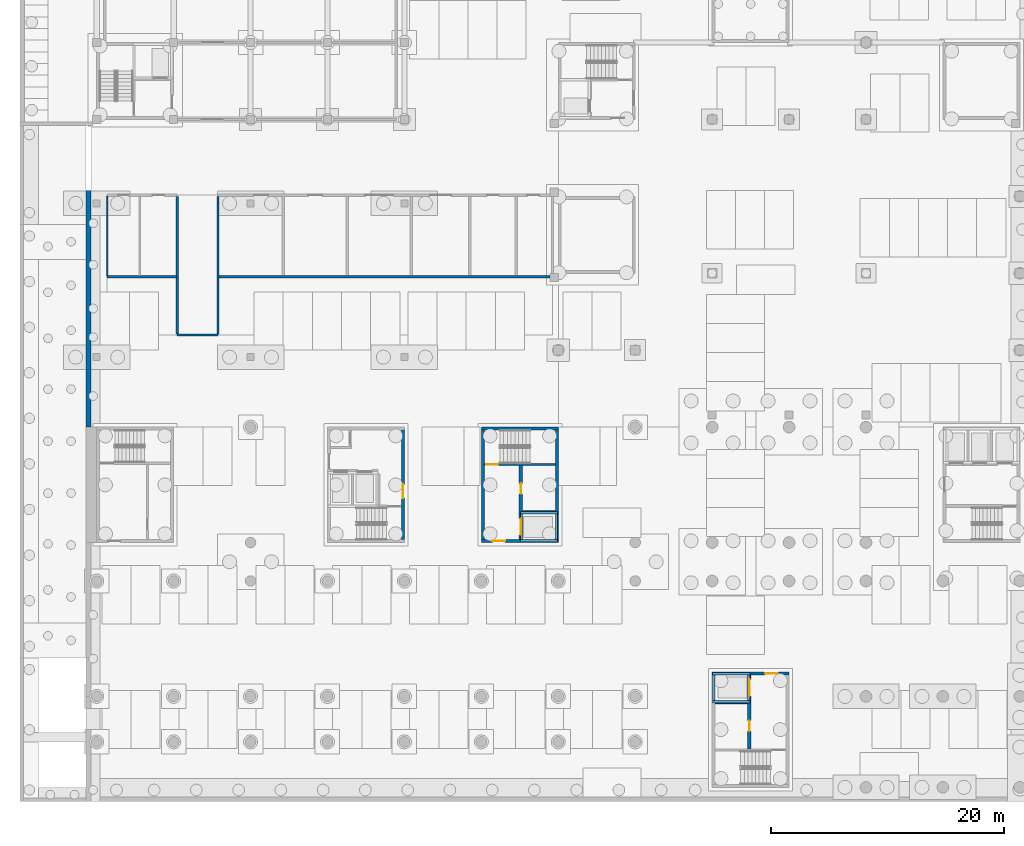
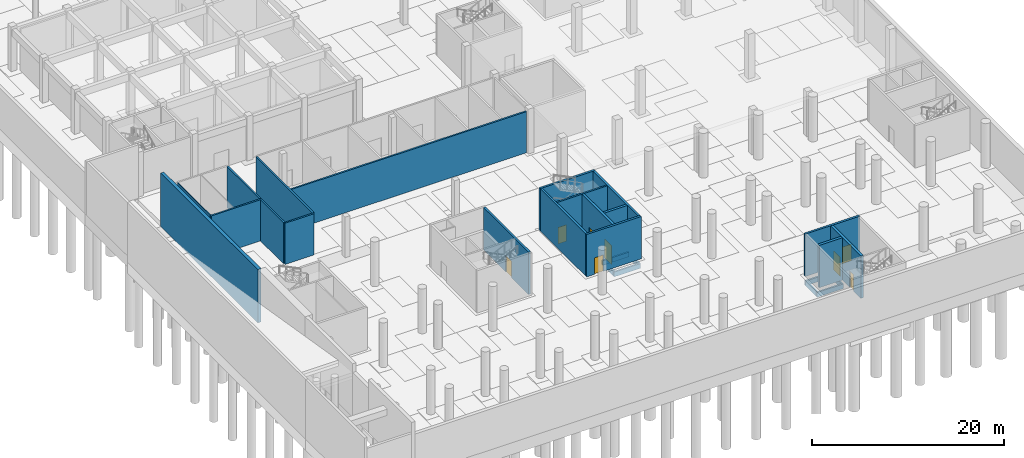
# One storey, part 12 of 38: 26 walls, 8 doors, 8 openings.
"""IFC4 building model written with IfcOpenShell, lengths in metres."""

from ifc_helpers import new_model, si_unit, direction, frame, frame_2d, origin, place, context, subcontext, project, spatial, rectangle, extrude, material, layer, layer_set, type_object, element, fill, save


model = new_model("IFC4")

# Units and contexts
model_context = context("Model", 3, precision=1e-05, world=origin(), true_north=direction((0.0, 1.0)))
body_context = subcontext(model_context, "Body", "Model", "MODEL_VIEW")
ifc_project = project(units=[si_unit("LENGTHUNIT", "METRE"), si_unit("AREAUNIT", "SQUARE_METRE"), si_unit("VOLUMEUNIT", "CUBIC_METRE"), si_unit("PLANEANGLEUNIT", "RADIAN"), si_unit("MASSUNIT", "GRAM", prefix="KILO")], contexts=[model_context])

# Site, building, storey
site_placement = place(None, origin())
site = spatial("IfcSite", under=ifc_project, at=site_placement, CompositionType="ELEMENT")
building_placement = place(site_placement, origin())
building = spatial("IfcBuilding", under=site, at=building_placement, Name="Lantern Court Research Institute", CompositionType="ELEMENT")
storey_placement = place(building_placement, frame((0.0, 0.0, -5.699951171875)))
storey = spatial("IfcBuildingStorey", under=building, at=storey_placement, Name="B1", CompositionType="ELEMENT", Elevation=-5.699951171875)

# Walls
ifc_material_1 = material(Name="Masonry blockwork 7 N/mm2", Category="masonry")
ifc_layer_1 = layer(ifc_material_1, 0.10009765625)
ifc_layer_set_1 = layer_set([ifc_layer_1], Name="Masonry blockwork 7 N/mm2")
wall_type_1 = type_object("IfcWallType", Name="Fire compartment wall 100 EI 60", PredefinedType="PARTITIONING", material=ifc_layer_set_1)
wall_1_placement = place(storey_placement, frame((0.89990234375, 36.10009765625, 0.0), z_axis=(0.0, 0.0, 1.0), x_axis=(0.0, 1.0, 0.0)))
element("IfcWall", 1, at=wall_1_placement, inside=storey, type_object=wall_type_1, Name="PT32", PredefinedType="PARTITIONING", context=body_context, shape_type="SweptSolid", body=[
    extrude(rectangle(XDim=6.7998046875, YDim=0.10009765625, at=frame_2d((3.39990234375, 0.0))), origin(), (0.0, 0.0, 1.0), 5.25),
])
ifc_material_2 = material(Name="Masonry blockwork 7 N/mm2", Category="masonry")
ifc_layer_2 = layer(ifc_material_2, 0.199951171875)
ifc_layer_set_2 = layer_set([ifc_layer_2], Name="Masonry blockwork 7 N/mm2")
wall_type_2 = type_object("IfcWallType", Name="Fire compartment wall 200 EI 120", PredefinedType="PARTITIONING", material=ifc_layer_set_2)
wall_2_placement = place(storey_placement, frame((6.89990234375, 31.0, 0.0), z_axis=(0.0, 0.0, 1.0), x_axis=(1.0, 0.0, 0.0)))
element("IfcWall", 2, at=wall_2_placement, inside=storey, type_object=wall_type_2, Name="PT17", PredefinedType="PARTITIONING", context=body_context, shape_type="SweptSolid", body=[
    extrude(rectangle(XDim=3.5, YDim=0.199951171875, at=frame_2d((1.75, 0.0))), origin(), (0.0, 0.0, 1.0), 5.25),
])
wall_3_placement = place(storey_placement, frame((0.89990234375, 36.0, 0.0), z_axis=(0.0, 0.0, 1.0), x_axis=(1.0, 0.0, 0.0)))
element("IfcWall", 3, at=wall_3_placement, inside=storey, type_object=wall_type_2, Name="PT18", PredefinedType="PARTITIONING", context=body_context, shape_type="SweptSolid", body=[
    extrude(rectangle(XDim=6.0, YDim=0.199951171875, at=frame_2d((3.0, 0.0))), origin(), (0.0, 0.0, 1.0), 5.25),
])
wall_4_placement = place(storey_placement, frame((10.39990234375, 36.0, 0.0), z_axis=(0.0, 0.0, 1.0), x_axis=(1.0, 0.0, 0.0)))
element("IfcWall", 4, at=wall_4_placement, inside=storey, type_object=wall_type_2, Name="PT19", PredefinedType="PARTITIONING", context=body_context, shape_type="SweptSolid", body=[
    extrude(rectangle(XDim=28.5, YDim=0.199951171875, at=frame_2d((14.25, 0.0))), origin(), (0.0, 0.0, 1.0), 5.25),
])
for number, where, z_axis, x_axis, name in (
    (5, (6.89990234375, 31.10009765625, 0.0), (0.0, 0.0, 1.0), (0.0, 1.0, 0.0), "PT34"),
    (6, (10.39990234375, 31.10009765625, 0.0), (0.0, 0.0, 1.0), (0.0, 1.0, 0.0), "PT35"),
):
    element("IfcWall", number, at=place(storey_placement, frame(where, z_axis=z_axis, x_axis=x_axis)), inside=storey, type_object=wall_type_2, Name=name, PredefinedType="PARTITIONING", context=body_context, shape_type="SweptSolid", body=[
        extrude(rectangle(XDim=11.7998046875, YDim=0.199951171875, at=frame_2d((5.89990234375, 0.0))), origin(), (0.0, 0.0, 1.0), 5.25),
    ])

# Wall, opening, door
ifc_material_3 = material(Name="Concrete C40/50", Category="concrete")
ifc_layer_3 = layer(ifc_material_3, 0.25)
ifc_layer_set_3 = layer_set([ifc_layer_3], Name="Concrete C40/50")
wall_type_3 = type_object("IfcWallType", Name="RC core wall 250", PredefinedType="SHEAR", material=ifc_layer_set_3)
wall_5_placement = place(storey_placement, frame((26.27490234375, 13.449951171875, 0.0), z_axis=(0.0, 0.0, 1.0), x_axis=(0.0, 1.0, 0.0)))
wall_5 = element("IfcWall", 7, at=wall_5_placement, inside=storey, type_object=wall_type_3, Name="East wall of core BC-M", PredefinedType="SHEAR", context=body_context, shape_type="SweptSolid", body=[
    extrude(rectangle(XDim=9.400146484375, YDim=0.25, at=frame_2d((4.7001953125, 0.0))), origin(), (0.0, 0.0, 1.0), 5.39990234375),
])
opening_1_placement = place(wall_5_placement, frame((3.550048828125, 0.0, 0.0)))
opening_1 = element("IfcOpeningElement", 8, at=opening_1_placement, cuts=wall_5, Name="Opening D7023", PredefinedType="OPENING", context=body_context, shape_type="SweptSolid", body=[
    extrude(rectangle(XDim=1.199951171875, YDim=2.10009765625, at=frame_2d((0.60009765625, 1.050048828125))), frame((0.0, 0.135009765625, 0.0), z_axis=(0.0, -1.0, 0.0), x_axis=(1.0, 0.0, 0.0)), (0.0, 0.0, 1.0), 0.27001953125),
])
ifc_material_4 = material(Name="Steel fire door leaf with smoke seals", Category="steel")
door_type_1 = type_object("IfcDoorType", Name="Door 1200 x 2100 fire rated FD60S", OperationType="NOTDEFINED", PredefinedType="DOOR", material=ifc_material_4)
door_1_placement = place(opening_1_placement, origin())
door_1 = element("IfcDoor", 9, at=door_1_placement, inside=storey, type_object=door_type_1, Name="Lobby door", OperationType="SINGLE_SWING_RIGHT", OverallHeight=2.10009765625, OverallWidth=1.199951171875, PredefinedType="DOOR", context=body_context, shape_type="SweptSolid", body=[
    extrude(rectangle(XDim=1.199951171875, YDim=2.10009765625, at=frame_2d((0.60009765625, 1.050048828125))), frame((0.0, 0.02490234375, 0.0), z_axis=(0.0, -1.0, 0.0), x_axis=(1.0, 0.0, 0.0)), (0.0, 0.0, 1.0), 0.050048828125),
])
fill(opening_1, door_1)

wall_6_placement = place(storey_placement, frame((33.0, 13.324951171875, 0.0), z_axis=(0.0, 0.0, 1.0), x_axis=(1.0, 0.0, 0.0)))
wall_6 = element("IfcWall", 10, at=wall_6_placement, inside=storey, type_object=wall_type_3, Name="South wall of core BC-E", PredefinedType="SHEAR", context=body_context, shape_type="SweptSolid", body=[
    extrude(rectangle(XDim=6.60009765625, YDim=0.25, at=frame_2d((3.300048828125, 0.0))), origin(), (0.0, 0.0, 1.0), 5.39990234375),
])
opening_2_placement = place(wall_6_placement, frame((0.949951171875, 0.0, 0.0)))
opening_2 = element("IfcOpeningElement", 11, at=opening_2_placement, cuts=wall_6, Name="Opening D7067", PredefinedType="OPENING", context=body_context, shape_type="SweptSolid", body=[
    extrude(rectangle(XDim=1.10009765625, YDim=2.10009765625, at=frame_2d((0.550048828125, 1.050048828125))), frame((0.0, 0.135009765625, 0.0), z_axis=(0.0, -1.0, 0.0), x_axis=(1.0, 0.0, 0.0)), (0.0, 0.0, 1.0), 0.27001953125),
])
ifc_material_5 = material(Name="Steel fire door leaf with smoke seals", Category="steel")
door_type_2 = type_object("IfcDoorType", Name="Door 1100 x 2100 fire rated FD60S", OperationType="NOTDEFINED", PredefinedType="DOOR", material=ifc_material_5)
door_2_placement = place(opening_2_placement, origin())
door_2 = element("IfcDoor", 12, at=door_2_placement, inside=storey, type_object=door_type_2, Name="Lobby door", OperationType="SINGLE_SWING_RIGHT", OverallHeight=2.10009765625, OverallWidth=1.10009765625, PredefinedType="DOOR", context=body_context, shape_type="SweptSolid", body=[
    extrude(rectangle(XDim=1.10009765625, YDim=2.10009765625, at=frame_2d((0.550048828125, 1.050048828125))), frame((0.0, 0.02490234375, 0.0), z_axis=(0.0, -1.0, 0.0), x_axis=(1.0, 0.0, 0.0)), (0.0, 0.0, 1.0), 0.050048828125),
])
fill(opening_2, door_2)

# Walls
wall_7_placement = place(storey_placement, frame((33.0, 22.97509765625, 0.0), z_axis=(0.0, 0.0, 1.0), x_axis=(1.0, 0.0, 0.0)))
element("IfcWall", 13, at=wall_7_placement, inside=storey, type_object=wall_type_3, Name="North wall of core BC-E", PredefinedType="SHEAR", context=body_context, shape_type="SweptSolid", body=[
    extrude(rectangle(XDim=6.60009765625, YDim=0.25, at=frame_2d((3.300048828125, 0.0))), origin(), (0.0, 0.0, 1.0), 5.39990234375),
])
for number, where, z_axis, x_axis, name in (
    (14, (33.125, 13.449951171875, 0.0), (0.0, 0.0, 1.0), (0.0, 1.0, 0.0), "West wall of core BC-E"),
    (15, (39.47509765625, 13.449951171875, 0.0), (0.0, 0.0, 1.0), (0.0, 1.0, 0.0), "East wall of core BC-E"),
):
    element("IfcWall", number, at=place(storey_placement, frame(where, z_axis=z_axis, x_axis=x_axis)), inside=storey, type_object=wall_type_3, Name=name, PredefinedType="SHEAR", context=body_context, shape_type="SweptSolid", body=[
        extrude(rectangle(XDim=9.400146484375, YDim=0.25, at=frame_2d((4.7001953125, 0.0))), origin(), (0.0, 0.0, 1.0), 5.39990234375),
    ])

# Wall, opening, door
wall_8_placement = place(storey_placement, frame((59.39990234375, 1.97509765625, 0.0), z_axis=(0.0, 0.0, 1.0), x_axis=(-1.0, 0.0, 0.0)))
wall_8 = element("IfcWall", 16, at=wall_8_placement, inside=storey, type_object=wall_type_3, Name="North wall of core TC-W", PredefinedType="SHEAR", context=body_context, shape_type="SweptSolid", body=[
    extrude(rectangle(XDim=6.599853515625, YDim=0.25, at=frame_2d((3.2998046875, 0.0))), origin(), (0.0, 0.0, 1.0), 5.39990234375),
])
opening_3_placement = place(wall_8_placement, frame((0.949951171875, 0.0, 0.0)))
opening_3 = element("IfcOpeningElement", 17, at=opening_3_placement, cuts=wall_8, Name="Opening D7096", PredefinedType="OPENING", context=body_context, shape_type="SweptSolid", body=[
    extrude(rectangle(XDim=1.10009765625, YDim=2.10009765625, at=frame_2d((0.550048828125, 1.050048828125))), frame((0.0, 0.135009765625, 0.0), z_axis=(0.0, -1.0, 0.0), x_axis=(1.0, 0.0, 0.0)), (0.0, 0.0, 1.0), 0.27001953125),
])
door_3_placement = place(opening_3_placement, origin())
door_3 = element("IfcDoor", 18, at=door_3_placement, inside=storey, type_object=door_type_2, Name="Lobby door", OperationType="SINGLE_SWING_RIGHT", OverallHeight=2.10009765625, OverallWidth=1.10009765625, PredefinedType="DOOR", context=body_context, shape_type="SweptSolid", body=[
    extrude(rectangle(XDim=1.10009765625, YDim=2.10009765625, at=frame_2d((0.550048828125, 1.050048828125))), frame((0.0, 0.02490234375, 0.0), z_axis=(0.0, -1.0, 0.0), x_axis=(1.0, 0.0, 0.0)), (0.0, 0.0, 1.0), 0.050048828125),
])
fill(opening_3, door_3)

# Walls
ifc_material_6 = material(Name="Concrete C30/37", Category="concrete")
ifc_layer_4 = layer(ifc_material_6, 0.199951171875)
ifc_layer_set_4 = layer_set([ifc_layer_4], Name="Concrete C30/37")
wall_type_4 = type_object("IfcWallType", Name="RC lift pit wall 200", PredefinedType="SHEAR", material=ifc_layer_set_4)
for number, where, z_axis, x_axis, name in (
    (19, (36.35009765625, 13.35009765625, -1.199951171875), (0.0, 0.0, 1.0), (1.0, 0.0, 0.0), "Lift pit wall of core BC-E (south)"),
    (20, (36.35009765625, 15.75, -1.199951171875), (0.0, 0.0, 1.0), (1.0, 0.0, 0.0), "Lift pit wall of core BC-E (north)"),
):
    element("IfcWall", number, at=place(storey_placement, frame(where, z_axis=z_axis, x_axis=x_axis)), inside=storey, type_object=wall_type_4, Name=name, PredefinedType="SHEAR", context=body_context, shape_type="SweptSolid", body=[
        extrude(rectangle(XDim=3.199951171875, YDim=0.199951171875, at=frame_2d((1.60009765625, 0.0))), origin(), (0.0, 0.0, 1.0), 0.599853515625),
    ])
for number, where, z_axis, x_axis, name in (
    (21, (36.449951171875, 13.449951171875, -1.199951171875), (0.0, 0.0, 1.0), (0.0, 1.0, 0.0), "Lift pit wall of core BC-E (west)"),
    (22, (39.449951171875, 13.449951171875, -1.199951171875), (0.0, 0.0, 1.0), (0.0, 1.0, 0.0), "Lift pit wall of core BC-E (east)"),
):
    element("IfcWall", number, at=place(storey_placement, frame(where, z_axis=z_axis, x_axis=x_axis)), inside=storey, type_object=wall_type_4, Name=name, PredefinedType="SHEAR", context=body_context, shape_type="SweptSolid", body=[
        extrude(rectangle(XDim=2.199951171875, YDim=0.199951171875, at=frame_2d((1.10009765625, 0.0))), origin(), (0.0, 0.0, 1.0), 0.599853515625),
    ])
for number, where, z_axis, x_axis, name in (
    (23, (52.85009765625, -0.449951171875, -1.199951171875), (0.0, 0.0, 1.0), (1.0, 0.0, 0.0), "Lift pit wall of core TC-W (south)"),
    (24, (52.85009765625, 1.949951171875, -1.199951171875), (0.0, 0.0, 1.0), (1.0, 0.0, 0.0), "Lift pit wall of core TC-W (north)"),
):
    element("IfcWall", number, at=place(storey_placement, frame(where, z_axis=z_axis, x_axis=x_axis)), inside=storey, type_object=wall_type_4, Name=name, PredefinedType="SHEAR", context=body_context, shape_type="SweptSolid", body=[
        extrude(rectangle(XDim=3.199951171875, YDim=0.199951171875, at=frame_2d((1.60009765625, 0.0))), origin(), (0.0, 0.0, 1.0), 0.599853515625),
    ])
for number, where, z_axis, x_axis, name in (
    (25, (52.949951171875, -0.35009765625, -1.199951171875), (0.0, 0.0, 1.0), (0.0, 1.0, 0.0), "Lift pit wall of core TC-W (west)"),
    (26, (55.949951171875, -0.35009765625, -1.199951171875), (0.0, 0.0, 1.0), (0.0, 1.0, 0.0), "Lift pit wall of core TC-W (east)"),
):
    element("IfcWall", number, at=place(storey_placement, frame(where, z_axis=z_axis, x_axis=x_axis)), inside=storey, type_object=wall_type_4, Name=name, PredefinedType="SHEAR", context=body_context, shape_type="SweptSolid", body=[
        extrude(rectangle(XDim=2.2001953125, YDim=0.199951171875, at=frame_2d((1.10009765625, 0.0))), origin(), (0.0, 0.0, 1.0), 0.599853515625),
    ])

# Wall, opening, door
ifc_material_7 = material(Name="Concrete C40/50", Category="concrete")
ifc_layer_5 = layer(ifc_material_7, 0.199951171875)
ifc_layer_set_5 = layer_set([ifc_layer_5], Name="Concrete C40/50")
wall_type_5 = type_object("IfcWallType", Name="RC shaft wall 200", PredefinedType="SHEAR", material=ifc_layer_set_5)
wall_9_placement = place(storey_placement, frame((33.25, 19.89990234375, 0.0), z_axis=(0.0, 0.0, 1.0), x_axis=(1.0, 0.0, 0.0)))
wall_9 = element("IfcWall", 27, at=wall_9_placement, inside=storey, type_object=wall_type_5, Name="Stair wall of core BC-E", PredefinedType="SHEAR", context=body_context, shape_type="SweptSolid", body=[
    extrude(rectangle(XDim=6.10009765625, YDim=0.199951171875, at=frame_2d((3.050048828125, 0.0))), origin(), (0.0, 0.0, 1.0), 5.39990234375),
])
opening_4_placement = place(wall_9_placement, frame((0.175048828125, 0.0, 0.0)))
opening_4 = element("IfcOpeningElement", 28, at=opening_4_placement, cuts=wall_9, Name="Opening D7068", PredefinedType="OPENING", context=body_context, shape_type="SweptSolid", body=[
    extrude(rectangle(XDim=1.0, YDim=2.10009765625, at=frame_2d((0.5, 1.050048828125))), frame((0.0, 0.10986328125, 0.0), z_axis=(0.0, -1.0, 0.0), x_axis=(1.0, 0.0, 0.0)), (0.0, 0.0, 1.0), 0.219970703125),
])
ifc_material_8 = material(Name="Steel fire door leaf with smoke seals", Category="steel")
door_type_3 = type_object("IfcDoorType", Name="Door 1000 x 2100 fire rated FD60S", OperationType="NOTDEFINED", PredefinedType="DOOR", material=ifc_material_8)
door_4_placement = place(opening_4_placement, origin())
door_4 = element("IfcDoor", 29, at=door_4_placement, inside=storey, type_object=door_type_3, Name="Stair door", OperationType="SINGLE_SWING_RIGHT", OverallHeight=2.10009765625, OverallWidth=1.0, PredefinedType="DOOR", context=body_context, shape_type="SweptSolid", body=[
    extrude(rectangle(XDim=1.0, YDim=2.10009765625, at=frame_2d((0.5, 1.050048828125))), frame((0.0, 0.02490234375, 0.0), z_axis=(0.0, -1.0, 0.0), x_axis=(1.0, 0.0, 0.0)), (0.0, 0.0, 1.0), 0.050048828125),
])
fill(opening_4, door_4)

# Wall, openings, doors
ifc_material_9 = material(Name="Concrete C40/50", Category="concrete")
ifc_layer_6 = layer(ifc_material_9, 0.300048828125)
ifc_layer_set_6 = layer_set([ifc_layer_6], Name="Concrete C40/50")
wall_type_6 = type_object("IfcWallType", Name="RC shaft wall 300", PredefinedType="SHEAR", material=ifc_layer_set_6)
wall_10_placement = place(storey_placement, frame((36.39990234375, 13.449951171875, 0.0), z_axis=(0.0, 0.0, 1.0), x_axis=(0.0, 1.0, 0.0)))
wall_10 = element("IfcWall", 30, at=wall_10_placement, inside=storey, type_object=wall_type_6, Name="Lift shaft wall of core BC-E", PredefinedType="SHEAR", context=body_context, shape_type="SweptSolid", body=[
    extrude(rectangle(XDim=6.35009765625, YDim=0.300048828125, at=frame_2d((3.175048828125, 0.0))), origin(), (0.0, 0.0, 1.0), 5.39990234375),
])
opening_5_placement = place(wall_10_placement, frame((3.925048828125, 0.0, 0.0)))
opening_5 = element("IfcOpeningElement", 31, at=opening_5_placement, cuts=wall_10, Name="Opening D7066", PredefinedType="OPENING", context=body_context, shape_type="SweptSolid", body=[
    extrude(rectangle(XDim=0.89990234375, YDim=2.10009765625, at=frame_2d((0.449951171875, 1.050048828125))), frame((0.0, 0.159912109375, 0.0), z_axis=(0.0, -1.0, 0.0), x_axis=(1.0, 0.0, 0.0)), (0.0, 0.0, 1.0), 0.320068359375),
])
opening_6_placement = place(wall_10_placement, frame((0.39990234375, 0.0, 0.0)))
opening_6 = element("IfcOpeningElement", 32, at=opening_6_placement, cuts=wall_10, Name="Opening D7069", PredefinedType="OPENING", context=body_context, shape_type="SweptSolid", body=[
    extrude(rectangle(XDim=1.39990234375, YDim=2.39990234375, at=frame_2d((0.699951171875, 1.199951171875))), frame((0.0, 0.159912109375, 0.0), z_axis=(0.0, -1.0, 0.0), x_axis=(1.0, 0.0, 0.0)), (0.0, 0.0, 1.0), 0.320068359375),
])
ifc_material_10 = material(Name="Steel fire door leaf", Category="steel")
door_type_4 = type_object("IfcDoorType", Name="Door 900 x 2100 fire rated FD60", OperationType="NOTDEFINED", PredefinedType="DOOR", material=ifc_material_10)
door_5_placement = place(opening_5_placement, origin())
door_5 = element("IfcDoor", 33, at=door_5_placement, inside=storey, type_object=door_type_4, Name="Riser door", OperationType="SINGLE_SWING_RIGHT", OverallHeight=2.10009765625, OverallWidth=0.89990234375, PredefinedType="DOOR", context=body_context, shape_type="SweptSolid", body=[
    extrude(rectangle(XDim=0.89990234375, YDim=2.10009765625, at=frame_2d((0.449951171875, 1.050048828125))), frame((0.0, 0.02490234375, 0.0), z_axis=(0.0, -1.0, 0.0), x_axis=(1.0, 0.0, 0.0)), (0.0, 0.0, 1.0), 0.050048828125),
])
fill(opening_5, door_5)
ifc_material_11 = material(Name="Stainless steel landing door panels", Category="steel")
door_type_5 = type_object("IfcDoorType", Name="Lift landing door 1400 x 2400 sliding FD60", OperationType="DOUBLE_DOOR_SLIDING", PredefinedType="NOTDEFINED", material=ifc_material_11)
door_6_placement = place(opening_6_placement, origin())
door_6 = element("IfcDoor", 34, at=door_6_placement, inside=storey, type_object=door_type_5, Name="Landing door", OperationType="DOUBLE_DOOR_SLIDING", OverallHeight=2.39990234375, OverallWidth=1.39990234375, PredefinedType="NOTDEFINED", context=body_context, shape_type="SweptSolid", body=[
    extrude(rectangle(XDim=1.39990234375, YDim=2.39990234375, at=frame_2d((0.699951171875, 1.199951171875))), frame((0.0, 0.02490234375, 0.0), z_axis=(0.0, -1.0, 0.0), x_axis=(1.0, 0.0, 0.0)), (0.0, 0.0, 1.0), 0.050048828125),
])
fill(opening_6, door_6)

# Wall
wall_11_placement = place(storey_placement, frame((36.550048828125, 15.800048828125, 0.0), z_axis=(0.0, 0.0, 1.0), x_axis=(1.0, 0.0, 0.0)))
element("IfcWall", 35, at=wall_11_placement, inside=storey, type_object=wall_type_6, Name="Lift shaft wall of core BC-E", PredefinedType="SHEAR", context=body_context, shape_type="SweptSolid", body=[
    extrude(rectangle(XDim=2.800048828125, YDim=0.300048828125, at=frame_2d((1.39990234375, 0.0))), origin(), (0.0, 0.0, 1.0), 5.39990234375),
])

# Wall, openings, doors
wall_12_placement = place(storey_placement, frame((56.0, 1.85009765625, 0.0), z_axis=(0.0, 0.0, 1.0), x_axis=(0.0, -1.0, 0.0)))
wall_12 = element("IfcWall", 36, at=wall_12_placement, inside=storey, type_object=wall_type_6, Name="Lift shaft wall of core TC-W", PredefinedType="SHEAR", context=body_context, shape_type="SweptSolid", body=[
    extrude(rectangle(XDim=6.35009765625, YDim=0.300048828125, at=frame_2d((3.175048828125, 0.0))), origin(), (0.0, 0.0, 1.0), 5.39990234375),
])
opening_7_placement = place(wall_12_placement, frame((3.925048828125, 0.0, 0.0)))
opening_7 = element("IfcOpeningElement", 37, at=opening_7_placement, cuts=wall_12, Name="Opening D7095", PredefinedType="OPENING", context=body_context, shape_type="SweptSolid", body=[
    extrude(rectangle(XDim=0.89990234375, YDim=2.10009765625, at=frame_2d((0.449951171875, 1.050048828125))), frame((0.0, 0.159912109375, 0.0), z_axis=(0.0, -1.0, 0.0), x_axis=(1.0, 0.0, 0.0)), (0.0, 0.0, 1.0), 0.320068359375),
])
opening_8_placement = place(wall_12_placement, frame((0.39990234375, 0.0, 0.0)))
opening_8 = element("IfcOpeningElement", 38, at=opening_8_placement, cuts=wall_12, Name="Opening D7098", PredefinedType="OPENING", context=body_context, shape_type="SweptSolid", body=[
    extrude(rectangle(XDim=1.39990234375, YDim=2.39990234375, at=frame_2d((0.699951171875, 1.199951171875))), frame((0.0, 0.159912109375, 0.0), z_axis=(0.0, -1.0, 0.0), x_axis=(1.0, 0.0, 0.0)), (0.0, 0.0, 1.0), 0.320068359375),
])
door_7_placement = place(opening_7_placement, origin())
door_7 = element("IfcDoor", 39, at=door_7_placement, inside=storey, type_object=door_type_4, Name="Riser door", OperationType="SINGLE_SWING_RIGHT", OverallHeight=2.10009765625, OverallWidth=0.89990234375, PredefinedType="DOOR", context=body_context, shape_type="SweptSolid", body=[
    extrude(rectangle(XDim=0.89990234375, YDim=2.10009765625, at=frame_2d((0.449951171875, 1.050048828125))), frame((0.0, 0.02490234375, 0.0), z_axis=(0.0, -1.0, 0.0), x_axis=(1.0, 0.0, 0.0)), (0.0, 0.0, 1.0), 0.050048828125),
])
fill(opening_7, door_7)
door_8_placement = place(opening_8_placement, origin())
door_8 = element("IfcDoor", 40, at=door_8_placement, inside=storey, type_object=door_type_5, Name="Landing door", OperationType="DOUBLE_DOOR_SLIDING", OverallHeight=2.39990234375, OverallWidth=1.39990234375, PredefinedType="NOTDEFINED", context=body_context, shape_type="SweptSolid", body=[
    extrude(rectangle(XDim=1.39990234375, YDim=2.39990234375, at=frame_2d((0.699951171875, 1.199951171875))), frame((0.0, 0.02490234375, 0.0), z_axis=(0.0, -1.0, 0.0), x_axis=(1.0, 0.0, 0.0)), (0.0, 0.0, 1.0), 0.050048828125),
])
fill(opening_8, door_8)

# Walls
wall_13_placement = place(storey_placement, frame((55.85009765625, -0.5, 0.0), z_axis=(0.0, 0.0, 1.0), x_axis=(-1.0, 0.0, 0.0)))
element("IfcWall", 41, at=wall_13_placement, inside=storey, type_object=wall_type_6, Name="Lift shaft wall of core TC-W", PredefinedType="SHEAR", context=body_context, shape_type="SweptSolid", body=[
    extrude(rectangle(XDim=2.800048828125, YDim=0.300048828125, at=frame_2d((1.39990234375, 0.0))), origin(), (0.0, 0.0, 1.0), 5.39990234375),
])
ifc_material_12 = material(Name="Concrete C30/37", Category="concrete")
ifc_layer_7 = layer(ifc_material_12, 0.39990234375)
ifc_layer_set_7 = layer_set([ifc_layer_7], Name="Concrete C30/37")
wall_type_7 = type_object("IfcWallType", Name="Retaining wall 400", PredefinedType="SOLIDWALL", material=ifc_layer_set_7)
wall_14_placement = place(storey_placement, frame((-0.699951171875, 23.10009765625, 0.0), z_axis=(0.0, 0.0, 1.0), x_axis=(0.0, 1.0, 0.0)))
element("IfcWall", 42, at=wall_14_placement, inside=storey, type_object=wall_type_7, Name="RW7", PredefinedType="SOLIDWALL", context=body_context, shape_type="SweptSolid", body=[
    extrude(rectangle(XDim=20.2998046875, YDim=0.39990234375, at=frame_2d((10.14990234375, 0.0))), origin(), (0.0, 0.0, 1.0), 6.800048828125),
])

save(model, "model.ifc")
